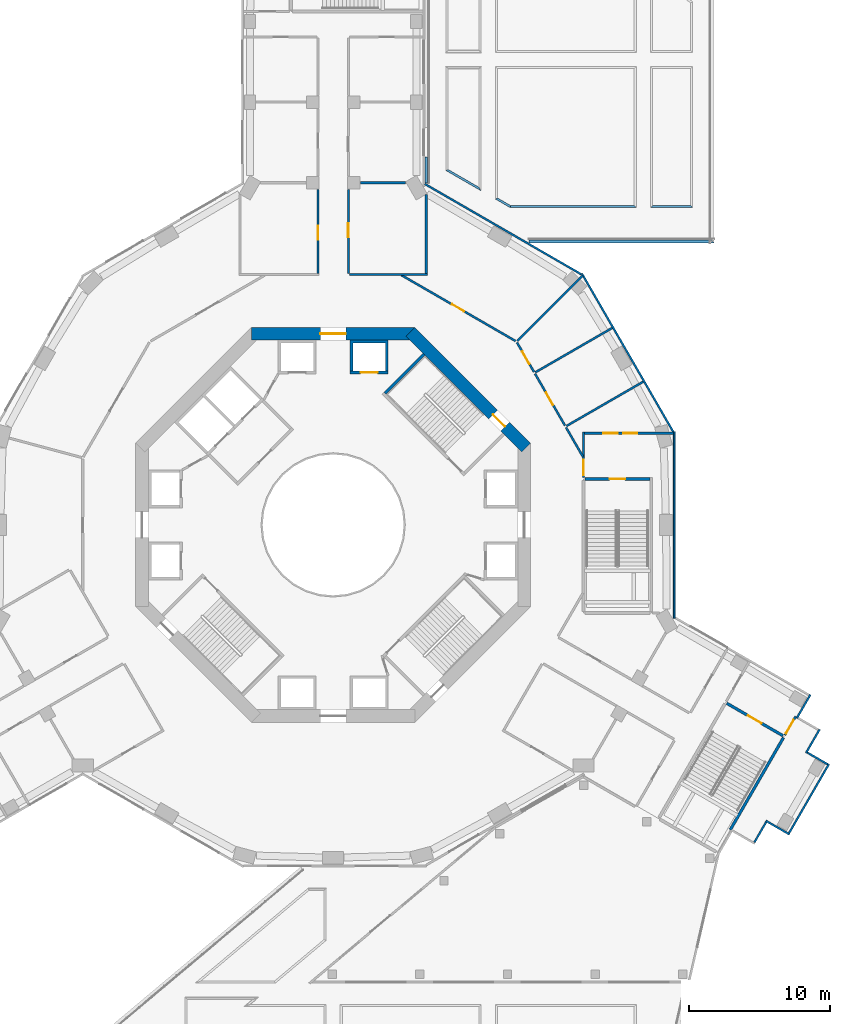
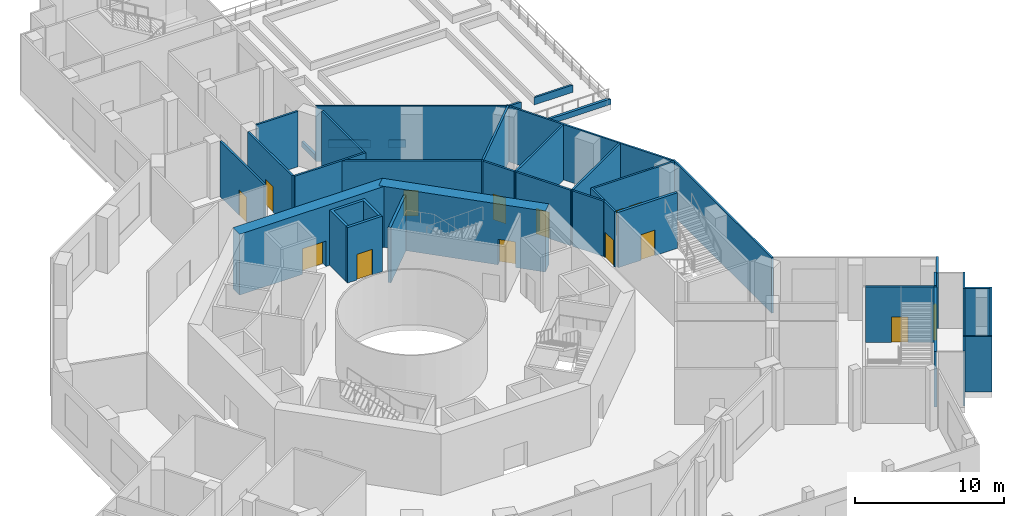
# One storey, part 7 of 24: 38 walls, 14 doors, 14 openings.
"""IFC4 building model written with IfcOpenShell, lengths in metres."""

from ifc_helpers import new_model, si_unit, direction, frame, frame_2d, origin, place, context, subcontext, project, spatial, polyline, rectangle, outline, extrude, material, layer, layer_set, type_object, element, fill, save


model = new_model("IFC4")

# Units and contexts
model_context = context("Model", 3, precision=1e-05, world=origin(), true_north=direction((0.0, 1.0)))
body_context = subcontext(model_context, "Body", "Model", "MODEL_VIEW")
ifc_project = project(units=[si_unit("LENGTHUNIT", "METRE"), si_unit("AREAUNIT", "SQUARE_METRE"), si_unit("VOLUMEUNIT", "CUBIC_METRE"), si_unit("PLANEANGLEUNIT", "RADIAN"), si_unit("MASSUNIT", "GRAM", prefix="KILO")], contexts=[model_context])

# Site, building, storey
site_placement = place(None, origin())
site = spatial("IfcSite", under=ifc_project, at=site_placement, CompositionType="ELEMENT")
building_placement = place(site_placement, origin())
building = spatial("IfcBuilding", under=site, at=building_placement, Name="Verdalira Terraces Hotel", CompositionType="ELEMENT")
storey_placement = place(building_placement, frame((0.0, 0.0, 14.0)))
storey = spatial("IfcBuildingStorey", under=building, at=storey_placement, Name="L02", CompositionType="ELEMENT", Elevation=14.0)

# Wall
ifc_material_1 = material(Name="Concrete C50", Category="concrete")
ifc_layer_1 = layer(ifc_material_1, 0.199951171875)
ifc_layer_set_1 = layer_set([ifc_layer_1], Name="Core RC wall 200 C50")
wall_type_1 = type_object("IfcWallType", Name="Core RC wall 200 C50", PredefinedType="SOLIDWALL", material=ifc_layer_set_1)
wall_1_placement = place(storey_placement, origin())
element("IfcWall", 1, at=wall_1_placement, inside=storey, type_object=wall_type_1, Name="L02 shaft wall N1", PredefinedType="SOLIDWALL", context=body_context, shape_type="SweptSolid", body=[
    extrude(outline(polyline([(3.899902, 13.100098), (3.899902, 10.899902), (3.699951, 10.899902), (3.699951, 12.899902), (1.399902, 12.899902), (1.399902, 10.899902), (1.199951, 10.899902), (1.199951, 13.100098), (3.899902, 13.100098)])), origin(), (0.0, 0.0, 1.0), 4.550049),
])

# Wall, opening, door
wall_2_placement = place(storey_placement, frame((1.199951, 10.800049, 0.0), z_axis=(0.0, 0.0, 1.0), x_axis=(1.0, 0.0, 0.0)))
wall_2 = element("IfcWall", 2, at=wall_2_placement, inside=storey, type_object=wall_type_1, Name="L02 shaft front wall N1", PredefinedType="SOLIDWALL", context=body_context, shape_type="SweptSolid", body=[
    extrude(rectangle(XDim=2.699951, YDim=0.199951, at=frame_2d((1.350098, 0.0))), origin(), (0.0, 0.0, 1.0), 4.550049),
])
opening_1_placement = place(wall_2_placement, frame((0.75, 0.0, 0.0)))
opening_1 = element("IfcOpeningElement", 3, at=opening_1_placement, cuts=wall_2, Name="Opening LD-L02-803", PredefinedType="OPENING", context=body_context, shape_type="SweptSolid", body=[
    extrude(rectangle(XDim=1.199951, YDim=2.100098, at=frame_2d((0.600098, 1.050049))), frame((0.0, 0.109863, 0.0), z_axis=(0.0, -1.0, 0.0), x_axis=(1.0, 0.0, 0.0)), (0.0, 0.0, 1.0), 0.219971),
])
ifc_material_2 = material(Name="Stainless steel", Category="steel")
door_type_1 = type_object("IfcDoorType", Name="Landing door 1200 x 2100", OperationType="NOTDEFINED", PredefinedType="DOOR", material=ifc_material_2)
door_1_placement = place(opening_1_placement, origin())
door_1 = element("IfcDoor", 4, at=door_1_placement, inside=storey, type_object=door_type_1, Name="Lift landing door LR3 L02", OperationType="DOUBLE_DOOR_SLIDING", OverallHeight=2.10009765625, OverallWidth=1.199951171875, PredefinedType="DOOR", context=body_context, shape_type="SweptSolid", body=[
    extrude(rectangle(XDim=1.199951, YDim=2.100098, at=frame_2d((0.600098, 1.050049))), frame((0.0, 0.024902, 0.0), z_axis=(0.0, -1.0, 0.0), x_axis=(1.0, 0.0, 0.0)), (0.0, 0.0, 1.0), 0.050049),
])
fill(opening_1, door_1)

# Wall
wall_3_placement = place(storey_placement, frame((3.677002, 9.33374, 0.0), z_axis=(0.0, 0.0, 1.0), x_axis=(0.707106781, 0.707106781, 0.0)))
element("IfcWall", 5, at=wall_3_placement, inside=storey, type_object=wall_type_1, Name="L02 stair ST1 end wall 2", PredefinedType="SOLIDWALL", context=body_context, shape_type="SweptSolid", body=[
    extrude(rectangle(XDim=3.900146, YDim=0.199951, at=frame_2d((1.950195, 0.0))), origin(), (0.0, 0.0, 1.0), 4.550049),
])

# Wall, opening, door
ifc_material_3 = material(Name="Concrete C70", Category="concrete")
ifc_layer_2 = layer(ifc_material_3, 0.89990234375)
ifc_layer_set_2 = layer_set([ifc_layer_2], Name="Core wall 900 C70")
wall_type_2 = type_object("IfcWallType", Name="Core wall 900 C70", PredefinedType="SHEAR", material=ifc_layer_set_2)
wall_4_placement = place(storey_placement, frame((13.681885, 5.480713, 0.0), z_axis=(0.0, 0.0, 1.0), x_axis=(-0.707106781, 0.707106781, 0.0)))
wall_4 = element("IfcWall", 6, at=wall_4_placement, inside=storey, type_object=wall_type_2, Name="Core wall CW-L02-2", PredefinedType="SHEAR", context=body_context, shape_type="SweptSolid", body=[
    extrude(rectangle(XDim=11.598145, YDim=0.899902, at=frame_2d((5.799072, 0.0))), origin(), (0.0, 0.0, 1.0), 5.0),
])
opening_2_placement = place(wall_4_placement, frame((2.099121, 0.0, 0.0)))
opening_2 = element("IfcOpeningElement", 7, at=opening_2_placement, cuts=wall_4, Name="Opening L02-816", PredefinedType="OPENING", context=body_context, shape_type="SweptSolid", body=[
    extrude(rectangle(XDim=1.199951, YDim=2.100098, at=frame_2d((0.600098, 1.050049))), frame((0.0, 0.459961, 0.0), z_axis=(0.0, -1.0, 0.0), x_axis=(1.0, 0.0, 0.0)), (0.0, 0.0, 1.0), 0.919922),
])
ifc_material_4 = material(Name="Steel fire door", Category="steel")
door_type_2 = type_object("IfcDoorType", Name="Stair door 1200 x 2100", OperationType="NOTDEFINED", PredefinedType="DOOR", material=ifc_material_4)
door_2_placement = place(opening_2_placement, origin())
door_2 = element("IfcDoor", 8, at=door_2_placement, inside=storey, type_object=door_type_2, Name="Stair exit door ST1 L02", OperationType="SINGLE_SWING_LEFT", OverallHeight=2.10009765625, OverallWidth=1.199951171875, PredefinedType="DOOR", context=body_context, shape_type="SweptSolid", body=[
    extrude(rectangle(XDim=1.199951, YDim=2.100098, at=frame_2d((0.600098, 1.050049))), frame((0.0, 0.024902, 0.0), z_axis=(0.0, -1.0, 0.0), x_axis=(1.0, 0.0, 0.0)), (0.0, 0.0, 1.0), 0.050049),
])
fill(opening_2, door_2)

wall_5_placement = place(storey_placement, frame((5.799072, 13.550049, 0.0), z_axis=(0.0, 0.0, 1.0), x_axis=(-1.0, 0.0, 0.0)))
wall_5 = element("IfcWall", 9, at=wall_5_placement, inside=storey, type_object=wall_type_2, Name="Core wall CW-L02-3", PredefinedType="SHEAR", context=body_context, shape_type="SweptSolid", body=[
    extrude(rectangle(XDim=11.598145, YDim=0.899902, at=frame_2d((5.799072, 0.0))), origin(), (0.0, 0.0, 1.0), 5.0),
])
opening_3_placement = place(wall_5_placement, frame((4.898926, 0.0, 0.0)))
opening_3 = element("IfcOpeningElement", 10, at=opening_3_placement, cuts=wall_5, Name="Opening L02-813", PredefinedType="OPENING", context=body_context, shape_type="SweptSolid", body=[
    extrude(rectangle(XDim=1.800049, YDim=2.100098, at=frame_2d((0.899902, 1.050049))), frame((0.0, 0.459961, 0.0), z_axis=(0.0, -1.0, 0.0), x_axis=(1.0, 0.0, 0.0)), (0.0, 0.0, 1.0), 0.919922),
])
ifc_material_5 = material(Name="Steel fire door", Category="steel")
door_type_3 = type_object("IfcDoorType", Name="Core entry door pair 1800 x 2100", OperationType="NOTDEFINED", PredefinedType="DOOR", material=ifc_material_5)
door_3_placement = place(opening_3_placement, origin())
door_3 = element("IfcDoor", 11, at=door_3_placement, inside=storey, type_object=door_type_3, Name="Core entry door L02 2", OperationType="DOUBLE_DOOR_SINGLE_SWING", OverallHeight=2.10009765625, OverallWidth=1.800048828125, PredefinedType="DOOR", context=body_context, shape_type="SweptSolid", body=[
    extrude(rectangle(XDim=1.800049, YDim=2.100098, at=frame_2d((0.899902, 1.050049))), frame((0.0, 0.024902, 0.0), z_axis=(0.0, -1.0, 0.0), x_axis=(1.0, 0.0, 0.0)), (0.0, 0.0, 1.0), 0.050049),
])
fill(opening_3, door_3)

ifc_material_6 = material(Name="Gypsum board partition on steel stud", Category="steel")
ifc_layer_3 = layer(ifc_material_6, 0.14990234375)
ifc_layer_set_3 = layer_set([ifc_layer_3], Name="Fire-rated partition 150 mm")
wall_type_3 = type_object("IfcWallType", Name="Fire-rated partition 150 mm", PredefinedType="PARTITIONING", material=ifc_layer_set_3)
wall_6_placement = place(storey_placement, frame((-1.074951, 17.833252, 0.0), z_axis=(0.0, 0.0, 1.0), x_axis=(0.0, 1.0, 0.0)))
wall_6 = element("IfcWall", 12, at=wall_6_placement, inside=storey, type_object=wall_type_3, Name="Partition", PredefinedType="PARTITIONING", context=body_context, shape_type="SweptSolid", body=[
    extrude(rectangle(XDim=5.945068, YDim=0.149902, at=frame_2d((2.972656, 0.0))), origin(), (0.0, 0.0, 1.0), 4.550049),
])
opening_4_placement = place(wall_6_placement, frame((2.39502, 0.0, 0.0)))
opening_4 = element("IfcOpeningElement", 13, at=opening_4_placement, cuts=wall_6, Name="Opening L02-D15", PredefinedType="OPENING", context=body_context, shape_type="SweptSolid", body=[
    extrude(rectangle(XDim=1.0, YDim=2.100098, at=frame_2d((0.5, 1.050049))), frame((0.0, 0.084961, 0.0), z_axis=(0.0, -1.0, 0.0), x_axis=(1.0, 0.0, 0.0)), (0.0, 0.0, 1.0), 0.169922),
])
ifc_material_7 = material(Name="Steel fire door", Category="steel")
door_type_4 = type_object("IfcDoorType", Name="Fire door 1000 x 2100", OperationType="SINGLE_SWING_LEFT", PredefinedType="DOOR", material=ifc_material_7)
door_4_placement = place(opening_4_placement, origin())
door_4 = element("IfcDoor", 14, at=door_4_placement, inside=storey, type_object=door_type_4, Name="Meeting room 201 door", OperationType="SINGLE_SWING_LEFT", OverallHeight=2.10009765625, OverallWidth=1.0, PredefinedType="DOOR", context=body_context, shape_type="SweptSolid", body=[
    extrude(rectangle(XDim=1.0, YDim=2.100098, at=frame_2d((0.5, 1.050049))), frame((0.0, 0.024902, 0.0), z_axis=(0.0, -1.0, 0.0), x_axis=(1.0, 0.0, 0.0)), (0.0, 0.0, 1.0), 0.050049),
])
fill(opening_4, door_4)

wall_7_placement = place(storey_placement, frame((1.074951, 23.77832, 0.0), z_axis=(0.0, 0.0, 1.0), x_axis=(0.0, -1.0, 0.0)))
wall_7 = element("IfcWall", 15, at=wall_7_placement, inside=storey, type_object=wall_type_3, Name="Partition", PredefinedType="PARTITIONING", context=body_context, shape_type="SweptSolid", body=[
    extrude(rectangle(XDim=5.945068, YDim=0.149902, at=frame_2d((2.972656, 0.0))), origin(), (0.0, 0.0, 1.0), 4.550049),
])
opening_5_placement = place(wall_7_placement, frame((2.39502, 0.0, 0.0)))
opening_5 = element("IfcOpeningElement", 16, at=opening_5_placement, cuts=wall_7, Name="Opening L02-D17", PredefinedType="OPENING", context=body_context, shape_type="SweptSolid", body=[
    extrude(rectangle(XDim=1.0, YDim=2.100098, at=frame_2d((0.5, 1.050049))), frame((0.0, 0.084961, 0.0), z_axis=(0.0, -1.0, 0.0), x_axis=(1.0, 0.0, 0.0)), (0.0, 0.0, 1.0), 0.169922),
])
door_5_placement = place(opening_5_placement, origin())
door_5 = element("IfcDoor", 17, at=door_5_placement, inside=storey, type_object=door_type_4, Name="Meeting room 204 door", OperationType="SINGLE_SWING_LEFT", OverallHeight=2.10009765625, OverallWidth=1.0, PredefinedType="DOOR", context=body_context, shape_type="SweptSolid", body=[
    extrude(rectangle(XDim=1.0, YDim=2.100098, at=frame_2d((0.5, 1.050049))), frame((0.0, 0.024902, 0.0), z_axis=(0.0, -1.0, 0.0), x_axis=(1.0, 0.0, 0.0)), (0.0, 0.0, 1.0), 0.050049),
])
fill(opening_5, door_5)

# Wall
wall_8_placement = place(storey_placement, frame((1.149902, 17.758301, 0.0), z_axis=(0.0, 0.0, 1.0), x_axis=(1.0, 0.0, 0.0)))
element("IfcWall", 18, at=wall_8_placement, inside=storey, type_object=wall_type_3, Name="Partition", PredefinedType="PARTITIONING", context=body_context, shape_type="SweptSolid", body=[
    extrude(rectangle(XDim=5.525146, YDim=0.149902, at=frame_2d((2.762695, 0.0))), origin(), (0.0, 0.0, 1.0), 4.550049),
])

# Wall, opening, door
wall_9_placement = place(storey_placement, frame((4.823242, 17.720703, 0.0), z_axis=(0.0, 0.0, 1.0), x_axis=(0.866037142, -0.499979668, 0.0)))
wall_9 = element("IfcWall", 19, at=wall_9_placement, inside=storey, type_object=wall_type_3, Name="Partition", PredefinedType="PARTITIONING", context=body_context, shape_type="SweptSolid", body=[
    extrude(rectangle(XDim=9.366699, YDim=0.149902, at=frame_2d((4.68335, 0.0))), origin(), (0.0, 0.0, 1.0), 4.550049),
])
opening_6_placement = place(wall_9_placement, frame((4.149902, 0.0, 0.0)))
opening_6 = element("IfcOpeningElement", 20, at=opening_6_placement, cuts=wall_9, Name="Opening L02-D20", PredefinedType="OPENING", context=body_context, shape_type="SweptSolid", body=[
    extrude(rectangle(XDim=1.0, YDim=2.100098, at=frame_2d((0.5, 1.050049))), frame((0.0, 0.084961, 0.0), z_axis=(0.0, -1.0, 0.0), x_axis=(1.0, 0.0, 0.0)), (0.0, 0.0, 1.0), 0.169922),
])
door_6_placement = place(opening_6_placement, origin())
door_6 = element("IfcDoor", 21, at=door_6_placement, inside=storey, type_object=door_type_4, Name="Meeting store door", OperationType="SINGLE_SWING_RIGHT", OverallHeight=2.10009765625, OverallWidth=1.0, PredefinedType="DOOR", context=body_context, shape_type="SweptSolid", body=[
    extrude(rectangle(XDim=1.0, YDim=2.100098, at=frame_2d((0.5, 1.050049))), frame((0.0, 0.024902, 0.0), z_axis=(0.0, -1.0, 0.0), x_axis=(1.0, 0.0, 0.0)), (0.0, 0.0, 1.0), 0.050049),
])
fill(opening_6, door_6)

# Walls
wall_10_placement = place(storey_placement, frame((5.144775, 24.26001, 0.0), z_axis=(0.0, 0.0, 1.0), x_axis=(-1.0, 0.0, 0.0)))
element("IfcWall", 22, at=wall_10_placement, inside=storey, type_object=wall_type_3, Name="Partition", PredefinedType="PARTITIONING", context=body_context, shape_type="SweptSolid", body=[
    extrude(rectangle(XDim=3.214844, YDim=0.149902, at=frame_2d((1.607422, 0.0))), origin(), (0.0, 0.0, 1.0), 4.550049),
])
wall_11_placement = place(storey_placement, frame((6.600098, 17.833252, 0.0), z_axis=(0.0, 0.0, 1.0), x_axis=(0.0, 1.0, 0.0)))
element("IfcWall", 23, at=wall_11_placement, inside=storey, type_object=wall_type_3, Name="Partition", PredefinedType="PARTITIONING", context=body_context, shape_type="SweptSolid", body=[
    extrude(rectangle(XDim=5.582031, YDim=0.149902, at=frame_2d((2.791016, 0.0))), origin(), (0.0, 0.0, 1.0), 4.550049),
])

# Wall, opening, door
wall_12_placement = place(storey_placement, frame((13.037598, 12.935059, 0.0), z_axis=(0.0, 0.0, 1.0), x_axis=(0.499933044, -0.866064057, 0.0)))
wall_12 = element("IfcWall", 24, at=wall_12_placement, inside=storey, type_object=wall_type_3, Name="Partition", PredefinedType="PARTITIONING", context=body_context, shape_type="SweptSolid", body=[
    extrude(rectangle(XDim=2.408447, YDim=0.149902, at=frame_2d((1.204102, 0.0))), origin(), (0.0, 0.0, 1.0), 4.550049),
])
opening_7_placement = place(wall_12_placement, frame((0.75, 0.0, 0.0)))
opening_7 = element("IfcOpeningElement", 25, at=opening_7_placement, cuts=wall_12, Name="Opening L02-D22", PredefinedType="OPENING", context=body_context, shape_type="SweptSolid", body=[
    extrude(rectangle(XDim=1.0, YDim=2.100098, at=frame_2d((0.5, 1.050049))), frame((0.0, 0.084961, 0.0), z_axis=(0.0, -1.0, 0.0), x_axis=(1.0, 0.0, 0.0)), (0.0, 0.0, 1.0), 0.169922),
])
door_7_placement = place(opening_7_placement, origin())
door_7 = element("IfcDoor", 26, at=door_7_placement, inside=storey, type_object=door_type_4, Name="Accessible WC door", OperationType="SINGLE_SWING_RIGHT", OverallHeight=2.10009765625, OverallWidth=1.0, PredefinedType="DOOR", context=body_context, shape_type="SweptSolid", body=[
    extrude(rectangle(XDim=1.0, YDim=2.100098, at=frame_2d((0.5, 1.050049))), frame((0.0, 0.024902, 0.0), z_axis=(0.0, -1.0, 0.0), x_axis=(1.0, 0.0, 0.0)), (0.0, 0.0, 1.0), 0.050049),
])
fill(opening_7, door_7)

wall_13_placement = place(storey_placement, frame((14.31665, 10.719482, 0.0), z_axis=(0.0, 0.0, 1.0), x_axis=(0.500037366, -0.866003829, 0.0)))
wall_13 = element("IfcWall", 27, at=wall_13_placement, inside=storey, type_object=wall_type_3, Name="Partition", PredefinedType="PARTITIONING", context=body_context, shape_type="SweptSolid", body=[
    extrude(rectangle(XDim=4.250244, YDim=0.149902, at=frame_2d((2.125, 0.0))), origin(), (0.0, 0.0, 1.0), 4.550049),
])
opening_8_placement = place(wall_13_placement, frame((1.550049, 0.0, 0.0)))
opening_8 = element("IfcOpeningElement", 28, at=opening_8_placement, cuts=wall_13, Name="Opening L02-D23", PredefinedType="OPENING", context=body_context, shape_type="SweptSolid", body=[
    extrude(rectangle(XDim=1.0, YDim=2.100098, at=frame_2d((0.5, 1.050049))), frame((0.0, 0.084961, 0.0), z_axis=(0.0, -1.0, 0.0), x_axis=(1.0, 0.0, 0.0)), (0.0, 0.0, 1.0), 0.169922),
])
door_8_placement = place(opening_8_placement, origin())
door_8 = element("IfcDoor", 29, at=door_8_placement, inside=storey, type_object=door_type_4, Name="Men's WC door", OperationType="SINGLE_SWING_LEFT", OverallHeight=2.10009765625, OverallWidth=1.0, PredefinedType="DOOR", context=body_context, shape_type="SweptSolid", body=[
    extrude(rectangle(XDim=1.0, YDim=2.100098, at=frame_2d((0.5, 1.050049))), frame((0.0, 0.024902, 0.0), z_axis=(0.0, -1.0, 0.0), x_axis=(1.0, 0.0, 0.0)), (0.0, 0.0, 1.0), 0.050049),
])
fill(opening_8, door_8)

# Wall
wall_14_placement = place(storey_placement, frame((16.516602, 6.90918, 0.0), z_axis=(0.0, 0.0, 1.0), x_axis=(0.499933044, -0.866064057, 0.0)))
element("IfcWall", 30, at=wall_14_placement, inside=storey, type_object=wall_type_3, Name="Partition", PredefinedType="PARTITIONING", context=body_context, shape_type="SweptSolid", body=[
    extrude(rectangle(XDim=2.408447, YDim=0.149902, at=frame_2d((1.204102, 0.0))), origin(), (0.0, 0.0, 1.0), 4.550049),
])

# Wall, opening, door
wall_15_placement = place(storey_placement, frame((17.758301, 3.349854, 0.0), z_axis=(0.0, 0.0, 1.0), x_axis=(0.0, 1.0, 0.0)))
wall_15 = element("IfcWall", 31, at=wall_15_placement, inside=storey, type_object=wall_type_3, Name="Partition", PredefinedType="PARTITIONING", context=body_context, shape_type="SweptSolid", body=[
    extrude(rectangle(XDim=3.225098, YDim=0.149902, at=frame_2d((1.612549, 0.0))), origin(), (0.0, 0.0, 1.0), 4.550049),
])
opening_9_placement = place(wall_15_placement, frame((0.175293, 0.0, 0.0)))
opening_9 = element("IfcOpeningElement", 32, at=opening_9_placement, cuts=wall_15, Name="Opening L02-D24", PredefinedType="OPENING", context=body_context, shape_type="SweptSolid", body=[
    extrude(rectangle(XDim=1.100098, YDim=2.100098, at=frame_2d((0.550049, 1.050049))), frame((0.0, 0.084961, 0.0), z_axis=(0.0, -1.0, 0.0), x_axis=(1.0, 0.0, 0.0)), (0.0, 0.0, 1.0), 0.169922),
])
ifc_material_8 = material(Name="Steel fire door", Category="steel")
door_type_5 = type_object("IfcDoorType", Name="Stair door 1100 x 2100", OperationType="SINGLE_SWING_LEFT", PredefinedType="DOOR", material=ifc_material_8)
door_9_placement = place(opening_9_placement, origin())
door_9 = element("IfcDoor", 33, at=door_9_placement, inside=storey, type_object=door_type_5, Name="Stair door Ring corridor", OperationType="SINGLE_SWING_RIGHT", OverallHeight=2.10009765625, OverallWidth=1.10009765625, PredefinedType="DOOR", context=body_context, shape_type="SweptSolid", body=[
    extrude(rectangle(XDim=1.100098, YDim=2.100098, at=frame_2d((0.550049, 1.050049))), frame((0.0, 0.024902, 0.0), z_axis=(0.0, -1.0, 0.0), x_axis=(1.0, 0.0, 0.0)), (0.0, 0.0, 1.0), 0.050049),
])
fill(opening_9, door_9)

# Walls
wall_16_placement = place(storey_placement, frame((17.699951, 17.699951, 0.0), z_axis=(0.0, 0.0, 1.0), x_axis=(-0.707106781, -0.707106781, 0.0)))
element("IfcWall", 34, at=wall_16_placement, inside=storey, type_object=wall_type_3, Name="Partition", PredefinedType="PARTITIONING", context=body_context, shape_type="SweptSolid", body=[
    extrude(rectangle(XDim=6.571777, YDim=0.149902, at=frame_2d((3.285889, 0.0))), origin(), (0.0, 0.0, 1.0), 4.550049),
])
wall_17_placement = place(storey_placement, frame((19.787109, 13.964355, 0.0), z_axis=(0.0, 0.0, 1.0), x_axis=(-0.866042631, -0.49997016, 0.0)))
element("IfcWall", 35, at=wall_17_placement, inside=storey, type_object=wall_type_3, Name="Partition", PredefinedType="PARTITIONING", context=body_context, shape_type="SweptSolid", body=[
    extrude(rectangle(XDim=6.285156, YDim=0.149902, at=frame_2d((3.142578, 0.0))), origin(), (0.0, 0.0, 1.0), 4.550049),
])
wall_18_placement = place(storey_placement, frame((21.987061, 10.153809, 0.0), z_axis=(0.0, 0.0, 1.0), x_axis=(-0.866032921, -0.49998698, 0.0)))
element("IfcWall", 36, at=wall_18_placement, inside=storey, type_object=wall_type_3, Name="Partition", PredefinedType="PARTITIONING", context=body_context, shape_type="SweptSolid", body=[
    extrude(rectangle(XDim=6.284912, YDim=0.149902, at=frame_2d((3.142578, 0.0))), origin(), (0.0, 0.0, 1.0), 4.550049),
])

# Wall, openings, doors
wall_19_placement = place(storey_placement, frame((24.118408, 6.5, 0.0), z_axis=(0.0, 0.0, 1.0), x_axis=(-1.0, 0.0, 0.0)))
wall_19 = element("IfcWall", 37, at=wall_19_placement, inside=storey, type_object=wall_type_3, Name="Partition", PredefinedType="PARTITIONING", context=body_context, shape_type="SweptSolid", body=[
    extrude(rectangle(XDim=6.285156, YDim=0.149902, at=frame_2d((3.142578, 0.0))), origin(), (0.0, 0.0, 1.0), 4.550049),
])
opening_10_placement = place(wall_19_placement, frame((2.550049, 0.0, 0.0)))
opening_10 = element("IfcOpeningElement", 38, at=opening_10_placement, cuts=wall_19, Name="Opening L02-D27", PredefinedType="OPENING", context=body_context, shape_type="SweptSolid", body=[
    extrude(rectangle(XDim=1.0, YDim=2.100098, at=frame_2d((0.5, 1.050049))), frame((0.0, 0.084961, 0.0), z_axis=(0.0, -1.0, 0.0), x_axis=(1.0, 0.0, 0.0)), (0.0, 0.0, 1.0), 0.169922),
])
opening_11_placement = place(wall_19_placement, frame((3.949951, 0.0, 0.0)))
opening_11 = element("IfcOpeningElement", 39, at=opening_11_placement, cuts=wall_19, Name="Opening L02-D28", PredefinedType="OPENING", context=body_context, shape_type="SweptSolid", body=[
    extrude(rectangle(XDim=1.0, YDim=2.100098, at=frame_2d((0.5, 1.050049))), frame((0.0, 0.084961, 0.0), z_axis=(0.0, -1.0, 0.0), x_axis=(1.0, 0.0, 0.0)), (0.0, 0.0, 1.0), 0.169922),
])
door_10_placement = place(opening_10_placement, origin())
door_10 = element("IfcDoor", 40, at=door_10_placement, inside=storey, type_object=door_type_4, Name="Stair door Women's WC", OperationType="SINGLE_SWING_LEFT", OverallHeight=2.10009765625, OverallWidth=1.0, PredefinedType="DOOR", context=body_context, shape_type="SweptSolid", body=[
    extrude(rectangle(XDim=1.0, YDim=2.100098, at=frame_2d((0.5, 1.050049))), frame((0.0, 0.024902, 0.0), z_axis=(0.0, -1.0, 0.0), x_axis=(1.0, 0.0, 0.0)), (0.0, 0.0, 1.0), 0.050049),
])
fill(opening_10, door_10)
door_11_placement = place(opening_11_placement, origin())
door_11 = element("IfcDoor", 41, at=door_11_placement, inside=storey, type_object=door_type_4, Name="Stair door Stair lobby PS4", OperationType="SINGLE_SWING_RIGHT", OverallHeight=2.10009765625, OverallWidth=1.0, PredefinedType="DOOR", context=body_context, shape_type="SweptSolid", body=[
    extrude(rectangle(XDim=1.0, YDim=2.100098, at=frame_2d((0.5, 1.050049))), frame((0.0, 0.024902, 0.0), z_axis=(0.0, -1.0, 0.0), x_axis=(1.0, 0.0, 0.0)), (0.0, 0.0, 1.0), 0.050049),
])
fill(opening_11, door_11)

# Wall, opening, door
wall_20_placement = place(storey_placement, frame((32.806641, -13.577148, 0.0), z_axis=(0.0, 0.0, 1.0), x_axis=(-0.499995951, -0.866027742, 0.0)))
wall_20 = element("IfcWall", 42, at=wall_20_placement, inside=storey, type_object=wall_type_3, Name="Partition", PredefinedType="PARTITIONING", context=body_context, shape_type="SweptSolid", body=[
    extrude(rectangle(XDim=1.54541, YDim=0.149902, at=frame_2d((0.772705, 0.0))), origin(), (0.0, 0.0, 1.0), 4.550049),
])
opening_12_placement = place(wall_20_placement, frame((0.29541, 0.0, 0.0)))
opening_12 = element("IfcOpeningElement", 43, at=opening_12_placement, cuts=wall_20, Name="Opening L02-D33", PredefinedType="OPENING", context=body_context, shape_type="SweptSolid", body=[
    extrude(rectangle(XDim=1.100098, YDim=2.100098, at=frame_2d((0.550049, 1.050049))), frame((0.0, 0.084961, 0.0), z_axis=(0.0, -1.0, 0.0), x_axis=(1.0, 0.0, 0.0)), (0.0, 0.0, 1.0), 0.169922),
])
door_12_placement = place(opening_12_placement, origin())
door_12 = element("IfcDoor", 44, at=door_12_placement, inside=storey, type_object=door_type_5, Name="Stair door Stair vestibule PS3", OperationType="SINGLE_SWING_LEFT", OverallHeight=2.10009765625, OverallWidth=1.10009765625, PredefinedType="DOOR", context=body_context, shape_type="SweptSolid", body=[
    extrude(rectangle(XDim=1.100098, YDim=2.100098, at=frame_2d((0.550049, 1.050049))), frame((0.0, 0.024902, 0.0), z_axis=(0.0, -1.0, 0.0), x_axis=(1.0, 0.0, 0.0)), (0.0, 0.0, 1.0), 0.050049),
])
fill(opening_12, door_12)

ifc_material_9 = material(Name="Concrete C50", Category="concrete")
ifc_layer_4 = layer(ifc_material_9, 0.199951171875)
ifc_layer_set_4 = layer_set([ifc_layer_4], Name="Stair enclosure wall 200 mm")
wall_type_4 = type_object("IfcWallType", Name="Stair enclosure wall 200 mm", PredefinedType="SOLIDWALL", material=ifc_layer_set_4)
wall_21_placement = place(storey_placement, frame((17.858398, 3.25, 0.0), z_axis=(0.0, 0.0, 1.0), x_axis=(1.0, 0.0, 0.0)))
wall_21 = element("IfcWall", 45, at=wall_21_placement, inside=storey, type_object=wall_type_4, Name="Stair enclosure wall", PredefinedType="SOLIDWALL", context=body_context, shape_type="SweptSolid", body=[
    extrude(rectangle(XDim=4.599854, YDim=0.199951, at=frame_2d((2.299805, 0.0))), origin(), (0.0, 0.0, 1.0), 4.550049),
])
opening_13_placement = place(wall_21_placement, frame((1.75, 0.0, 0.0)))
opening_13 = element("IfcOpeningElement", 46, at=opening_13_placement, cuts=wall_21, Name="Opening L02-D25", PredefinedType="OPENING", context=body_context, shape_type="SweptSolid", body=[
    extrude(rectangle(XDim=1.100098, YDim=2.100098, at=frame_2d((0.550049, 1.050049))), frame((0.0, 0.109863, 0.0), z_axis=(0.0, -1.0, 0.0), x_axis=(1.0, 0.0, 0.0)), (0.0, 0.0, 1.0), 0.219971),
])
door_13_placement = place(opening_13_placement, origin())
door_13 = element("IfcDoor", 47, at=door_13_placement, inside=storey, type_object=door_type_5, Name="Stair door Stair lobby PS4", OperationType="SINGLE_SWING_LEFT", OverallHeight=2.10009765625, OverallWidth=1.10009765625, PredefinedType="DOOR", context=body_context, shape_type="SweptSolid", body=[
    extrude(rectangle(XDim=1.100098, YDim=2.100098, at=frame_2d((0.550049, 1.050049))), frame((0.0, 0.024902, 0.0), z_axis=(0.0, -1.0, 0.0), x_axis=(1.0, 0.0, 0.0)), (0.0, 0.0, 1.0), 0.050049),
])
fill(opening_13, door_13)

# Wall
wall_22_placement = place(storey_placement, frame((28.161621, -21.622803, 0.0), z_axis=(0.0, 0.0, 1.0), x_axis=(0.499981072, 0.866036332, 0.0)))
element("IfcWall", 48, at=wall_22_placement, inside=storey, type_object=wall_type_4, Name="Stair enclosure wall", PredefinedType="SOLIDWALL", context=body_context, shape_type="SweptSolid", body=[
    extrude(rectangle(XDim=7.545166, YDim=0.199951, at=frame_2d((3.772461, 0.0))), origin(), (0.0, 0.0, 1.0), 4.550049),
])

# Wall, opening, door
wall_23_placement = place(storey_placement, frame((27.913818, -12.651855, 0.0), z_axis=(0.0, 0.0, 1.0), x_axis=(0.86601677, -0.500014953, 0.0)))
wall_23 = element("IfcWall", 49, at=wall_23_placement, inside=storey, type_object=wall_type_4, Name="Stair enclosure wall", PredefinedType="SOLIDWALL", context=body_context, shape_type="SweptSolid", body=[
    extrude(rectangle(XDim=4.599854, YDim=0.199951, at=frame_2d((2.299805, 0.0))), origin(), (0.0, 0.0, 1.0), 4.550049),
])
opening_14_placement = place(wall_23_placement, frame((1.75, 0.0, 0.0)))
opening_14 = element("IfcOpeningElement", 50, at=opening_14_placement, cuts=wall_23, Name="Opening L02-D32", PredefinedType="OPENING", context=body_context, shape_type="SweptSolid", body=[
    extrude(rectangle(XDim=1.100098, YDim=2.100098, at=frame_2d((0.550049, 1.050049))), frame((0.0, 0.109863, 0.0), z_axis=(0.0, -1.0, 0.0), x_axis=(1.0, 0.0, 0.0)), (0.0, 0.0, 1.0), 0.219971),
])
door_14_placement = place(opening_14_placement, origin())
door_14 = element("IfcDoor", 51, at=door_14_placement, inside=storey, type_object=door_type_5, Name="Stair door Stair lobby PS3", OperationType="SINGLE_SWING_RIGHT", OverallHeight=2.10009765625, OverallWidth=1.10009765625, PredefinedType="DOOR", context=body_context, shape_type="SweptSolid", body=[
    extrude(rectangle(XDim=1.100098, YDim=2.100098, at=frame_2d((0.550049, 1.050049))), frame((0.0, 0.024902, 0.0), z_axis=(0.0, -1.0, 0.0), x_axis=(1.0, 0.0, 0.0)), (0.0, 0.0, 1.0), 0.050049),
])
fill(opening_14, door_14)

# Walls
ifc_material_10 = material(Name="Concrete C40", Category="concrete")
ifc_layer_5 = layer(ifc_material_10, 0.14990234375)
ifc_layer_set_5 = layer_set([ifc_layer_5], Name="Terrace planter trough 150 x 600")
wall_type_5 = type_object("IfcWallType", Name="Terrace planter trough 150 x 600", PredefinedType="SOLIDWALL", material=ifc_layer_set_5)
wall_24_placement = place(storey_placement, origin())
element("IfcWall", 52, at=wall_24_placement, inside=storey, type_object=wall_type_5, Name="Terrace planting bed trough", PredefinedType="SOLIDWALL", context=body_context, shape_type="SweptSolid", body=[
    extrude(outline(polyline([(11.5, 23.103516), (12.54541, 22.5), (12.585693, 22.649902), (11.649902, 23.190186), (11.5, 23.103516)])), origin(), (0.0, 0.0, 1.0), 0.600098),
])
wall_25_placement = place(storey_placement, origin())
element("IfcWall", 53, at=wall_25_placement, inside=storey, type_object=wall_type_5, Name="Terrace planting bed trough", PredefinedType="SOLIDWALL", context=body_context, shape_type="SweptSolid", body=[
    extrude(outline(polyline([(12.54541, 22.5), (21.5, 22.5), (21.350098, 22.649902), (12.585693, 22.649902), (12.54541, 22.5)])), origin(), (0.0, 0.0, 1.0), 0.600098),
])
wall_26_placement = place(storey_placement, origin())
element("IfcWall", 54, at=wall_26_placement, inside=storey, type_object=wall_type_5, Name="Terrace planting bed trough", PredefinedType="SOLIDWALL", context=body_context, shape_type="SweptSolid", body=[
    extrude(outline(polyline([(8.0, 25.124512), (10.5, 23.680908), (10.350098, 23.940918), (8.149902, 25.210938), (8.0, 25.124512)])), origin(), (0.0, 0.0, 1.0), 0.600098),
])
wall_27_placement = place(storey_placement, origin())
element("IfcWall", 55, at=wall_27_placement, inside=storey, type_object=wall_type_5, Name="Terrace planting bed trough", PredefinedType="SOLIDWALL", context=body_context, shape_type="SweptSolid", body=[
    extrude(outline(polyline([(22.5, 22.5), (25.5, 22.5), (25.350098, 22.649902), (22.649902, 22.649902), (22.5, 22.5)])), origin(), (0.0, 0.0, 1.0), 0.600098),
])
ifc_material_11 = material(Name="Concrete C40", Category="concrete")
ifc_layer_6 = layer(ifc_material_11, 0.199951171875)
ifc_layer_set_6 = layer_set([ifc_layer_6], Name="Terrace upstand 200 x 450")
wall_type_6 = type_object("IfcWallType", Name="Terrace upstand 200 x 450", PredefinedType="SOLIDWALL", material=ifc_layer_set_6)
wall_28_placement = place(storey_placement, origin())
element("IfcWall", 56, at=wall_28_placement, inside=storey, type_object=wall_type_6, Name="Terrace upstand", PredefinedType="SOLIDWALL", context=body_context, shape_type="SweptSolid", body=[
    extrude(outline(polyline([(13.875488, 20.199951), (13.875488, 20.0), (27.0, 20.0), (26.800049, 20.199951), (13.875488, 20.199951)])), origin(), (0.0, 0.0, 1.0), 0.449951),
])
wall_29_placement = place(storey_placement, origin())
element("IfcWall", 57, at=wall_29_placement, inside=storey, type_object=wall_type_6, Name="Terrace upstand", PredefinedType="SOLIDWALL", context=body_context, shape_type="SweptSolid", body=[
    extrude(outline(polyline([(6.699951, 24.258301), (6.699951, 26.079346), (6.5, 26.079346), (6.5, 24.258301), (6.699951, 24.258301)])), origin(), (0.0, 0.0, 1.0), 0.449951),
])
ifc_material_12 = material(Name="Terracotta cladding on steel stud backup", Category="masonry")
ifc_layer_7 = layer(ifc_material_12, 0.139892578125)
ifc_layer_set_7 = layer_set([ifc_layer_7], Name="Terracotta clad wall 140 mm")
wall_type_7 = type_object("IfcWallType", Name="Terracotta clad wall 140 mm", PredefinedType="SOLIDWALL", material=ifc_layer_set_7)
wall_30_placement = place(storey_placement, frame((29.875488, -22.51416, 0.0), z_axis=(0.0, 0.0, 1.0), x_axis=(0.499998264, 0.866026406, 0.0)))
element("IfcWall", 58, at=wall_30_placement, inside=storey, type_object=wall_type_7, Name="Podium facade wall", PredefinedType="SOLIDWALL", context=body_context, shape_type="SweptSolid", body=[
    extrude(rectangle(XDim=1.660156, YDim=0.139893, at=frame_2d((0.830078, 0.0))), origin(), (0.0, 0.0, 1.0), 4.550049),
])
wall_31_placement = place(storey_placement, frame((30.679932, -20.980957, 0.0), z_axis=(0.0, 0.0, 1.0), x_axis=(0.866043088, -0.499969368, 0.0)))
element("IfcWall", 59, at=wall_31_placement, inside=storey, type_object=wall_type_7, Name="Podium facade wall", PredefinedType="SOLIDWALL", context=body_context, shape_type="SweptSolid", body=[
    extrude(rectangle(XDim=1.939941, YDim=0.139893, at=frame_2d((0.969971, 0.0))), origin(), (0.0, 0.0, 1.0), 4.550049),
])
wall_32_placement = place(storey_placement, frame((32.334473, -21.855225, 0.0), z_axis=(0.0, 0.0, 1.0), x_axis=(0.499985074, 0.866034021, 0.0)))
element("IfcWall", 60, at=wall_32_placement, inside=storey, type_object=wall_type_7, Name="Podium facade wall", PredefinedType="SOLIDWALL", context=body_context, shape_type="SweptSolid", body=[
    extrude(rectangle(XDim=5.659912, YDim=0.139893, at=frame_2d((2.830078, 0.0))), origin(), (0.0, 0.0, 1.0), 4.550049),
])
wall_33_placement = place(storey_placement, frame((35.068604, -16.979004, 0.0), z_axis=(0.0, 0.0, 1.0), x_axis=(-0.866053324, 0.499951638, 0.0)))
element("IfcWall", 61, at=wall_33_placement, inside=storey, type_object=wall_type_7, Name="Podium facade wall", PredefinedType="SOLIDWALL", context=body_context, shape_type="SweptSolid", body=[
    extrude(rectangle(XDim=1.659912, YDim=0.139893, at=frame_2d((0.830078, 0.0))), origin(), (0.0, 0.0, 1.0), 4.550049),
])
wall_34_placement = place(storey_placement, frame((33.5354, -16.174805, 0.0), z_axis=(0.0, 0.0, 1.0), x_axis=(0.500063744, 0.865988598, 0.0)))
element("IfcWall", 62, at=wall_34_placement, inside=storey, type_object=wall_type_7, Name="Podium facade wall", PredefinedType="SOLIDWALL", context=body_context, shape_type="SweptSolid", body=[
    extrude(rectangle(XDim=1.940186, YDim=0.139893, at=frame_2d((0.970215, 0.0))), origin(), (0.0, 0.0, 1.0), 4.550049),
])
wall_35_placement = place(storey_placement, frame((32.876709, -13.71582, 0.0), z_axis=(0.0, 0.0, 1.0), x_axis=(0.500023862, 0.866011627, 0.0)))
element("IfcWall", 63, at=wall_35_placement, inside=storey, type_object=wall_type_7, Name="Podium facade wall", PredefinedType="SOLIDWALL", context=body_context, shape_type="SweptSolid", body=[
    extrude(rectangle(XDim=1.939941, YDim=0.139893, at=frame_2d((0.969971, 0.0))), origin(), (0.0, 0.0, 1.0), 4.550049),
])
wall_36_placement = place(storey_placement, frame((24.188232, -6.621094, 0.0), z_axis=(0.0, 0.0, 1.0), x_axis=(0.0, 1.0, 0.0)))
element("IfcWall", 64, at=wall_36_placement, inside=storey, type_object=wall_type_7, Name="Podium facade wall", PredefinedType="SOLIDWALL", context=body_context, shape_type="SweptSolid", body=[
    extrude(rectangle(XDim=13.242188, YDim=0.139893, at=frame_2d((6.621094, 0.0))), origin(), (0.0, 0.0, 1.0), 4.550049),
])
wall_37_placement = place(storey_placement, frame((24.118408, 6.602539, 0.0), z_axis=(0.0, 0.0, 1.0), x_axis=(-0.499997984, 0.866026568, 0.0)))
element("IfcWall", 65, at=wall_37_placement, inside=storey, type_object=wall_type_7, Name="Podium facade wall", PredefinedType="SOLIDWALL", context=body_context, shape_type="SweptSolid", body=[
    extrude(rectangle(XDim=12.962402, YDim=0.139893, at=frame_2d((6.481201, 0.0))), origin(), (0.0, 0.0, 1.0), 4.550049),
])
wall_38_placement = place(storey_placement, frame((17.585693, 17.7771, 0.0), z_axis=(0.0, 0.0, 1.0), x_axis=(-0.866023287, 0.500003667, 0.0)))
element("IfcWall", 66, at=wall_38_placement, inside=storey, type_object=wall_type_7, Name="Podium facade wall", PredefinedType="SOLIDWALL", context=body_context, shape_type="SweptSolid", body=[
    extrude(rectangle(XDim=12.800781, YDim=0.139893, at=frame_2d((6.400391, 0.0))), origin(), (0.0, 0.0, 1.0), 4.550049),
])

save(model, "model.ifc")
